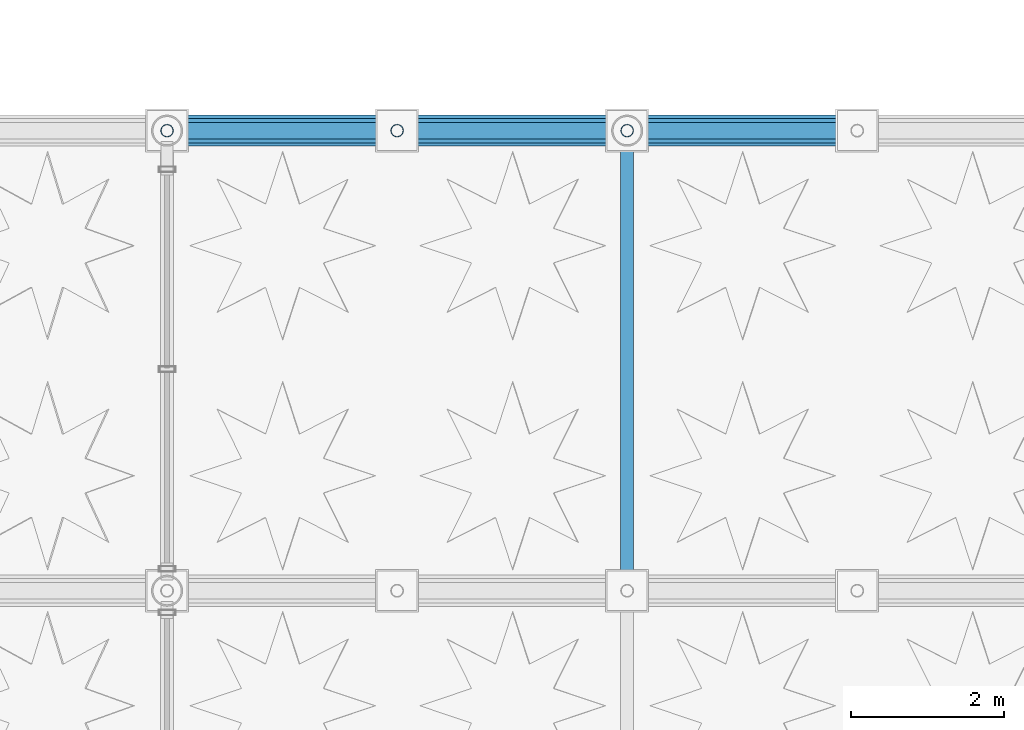
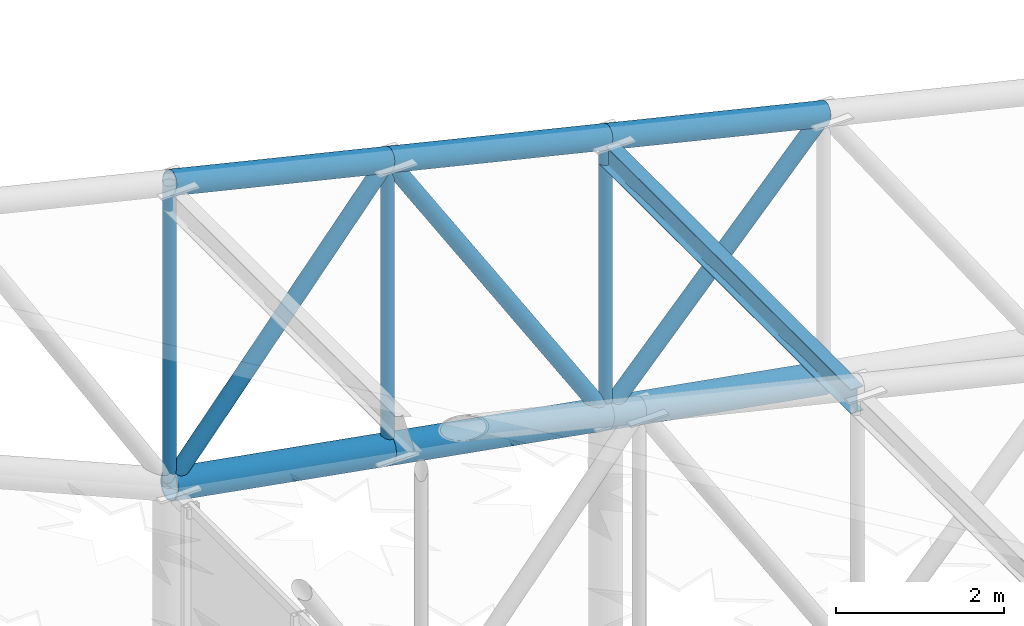
# One storey, part 44 of 112: 12 members, 1 beam.
"""IFC4 building model written with IfcOpenShell, lengths in metres."""

from ifc_helpers import new_model, si_unit, direction, frame, origin, origin_2d, place, context, subcontext, project, spatial, hollow_circle, i_section, extrude, material, material_profile, profile_set, type_object, element, save


model = new_model("IFC4")

# Units and contexts
model_context = context("Model", 3, precision=1e-05, world=origin(), true_north=direction((0.0, 1.0)))
body_context = subcontext(model_context, "Body", "Model", "MODEL_VIEW")
ifc_project = project(units=[si_unit("LENGTHUNIT", "METRE"), si_unit("AREAUNIT", "SQUARE_METRE"), si_unit("VOLUMEUNIT", "CUBIC_METRE"), si_unit("PLANEANGLEUNIT", "RADIAN"), si_unit("MASSUNIT", "GRAM", prefix="KILO"), si_unit("THERMODYNAMICTEMPERATUREUNIT", "KELVIN"), si_unit("POWERUNIT", "WATT")], contexts=[model_context])

# Site, building, storey
site_placement = place(None, origin())
site = spatial("IfcSite", under=ifc_project, at=site_placement, CompositionType="ELEMENT")
building_placement = place(site_placement, origin())
building = spatial("IfcBuilding", under=site, at=building_placement, Name="Phaisarnlok Congress Hotel", CompositionType="ELEMENT")
storey_placement = place(building_placement, frame((0.0, 0.0, 19.800048828125)))
storey = spatial("IfcBuildingStorey", under=building, at=storey_placement, Name="L04", CompositionType="ELEMENT", Elevation=19.800048828125)

# Beam
ifc_material = material(Name="Steel S355", Category="steel")
ifc_material_profile_1 = material_profile(ifc_material, i_section(OverallWidth=0.169921875, OverallDepth=0.360107421875, WebThickness=0.008056640625, FlangeThickness=0.0126953125, FilletRadius=0.01806640625, at=origin_2d()), Name="IPE 360")
ifc_profile_set_1 = profile_set([ifc_material_profile_1], Name="Steel S355")
beam_type = type_object("IfcBeamType", Name="JS-STL-IPE360", PredefinedType="JOIST", material=ifc_profile_set_1)
beam_placement = place(storey_placement, frame((126.0, 78.0, 9.16845703125), z_axis=(0.0, 1.0, 0.0), x_axis=(-1.0, 0.0, 0.0)))
element("IfcBeam", 1, at=beam_placement, inside=storey, type_object=beam_type, Name="Cloister wing roof purlin", PredefinedType="JOIST", context=body_context, shape_type="SweptSolid", body=[
    extrude(i_section(OverallWidth=0.169921875, OverallDepth=0.360107421875, WebThickness=0.008056640625, FlangeThickness=0.0126953125, FilletRadius=0.01806640625, at=origin_2d()), origin(), (0.0, 0.0, 1.0), 6.0),
])

# Members
ifc_material_profile_2 = material_profile(ifc_material, hollow_circle(Radius=0.084228515625, WallThickness=0.010009765625, at=origin_2d()), Name="CHS 168.3x10")
ifc_profile_set_2 = profile_set([ifc_material_profile_2], Name="Steel S355")
member_type_1 = type_object("IfcMemberType", Name="MEM-BRC-CHS168", PredefinedType="BRACE", material=ifc_profile_set_2)
member_1_placement = place(storey_placement, frame((126.0, 84.0, 5.333251953125), z_axis=(0.0, 0.0, 1.0), x_axis=(1.0, 0.0, 0.0)))
element("IfcMember", 2, at=member_1_placement, inside=storey, type_object=member_type_1, Name="Cloister wing roof truss vertical web", PredefinedType="BRACE", context=body_context, shape_type="SweptSolid", body=[
    extrude(hollow_circle(Radius=0.084228515625, WallThickness=0.010009765625, at=origin_2d()), origin(), (0.0, 0.0, 1.0), 4.027099609375),
])
member_2_placement = place(storey_placement, frame((123.0, 84.0, 5.86669921875), z_axis=(0.0, 0.0, 1.0), x_axis=(1.0, 0.0, 0.0)))
element("IfcMember", 3, at=member_2_placement, inside=storey, type_object=member_type_1, Name="Cloister wing roof truss vertical web", PredefinedType="BRACE", context=body_context, shape_type="SweptSolid", body=[
    extrude(hollow_circle(Radius=0.084228515625, WallThickness=0.010009765625, at=origin_2d()), origin(), (0.0, 0.0, 1.0), 4.209716796875),
])
member_3_placement = place(storey_placement, frame((120.0, 84.0, 6.39990234375), z_axis=(0.0, 0.0, 1.0), x_axis=(1.0, 0.0, 0.0)))
element("IfcMember", 4, at=member_3_placement, inside=storey, type_object=member_type_1, Name="Cloister wing roof truss vertical web", PredefinedType="BRACE", context=body_context, shape_type="SweptSolid", body=[
    extrude(hollow_circle(Radius=0.084228515625, WallThickness=0.010009765625, at=origin_2d()), origin(), (0.0, 0.0, 1.0), 4.392578125),
])
ifc_material_profile_3 = material_profile(ifc_material, hollow_circle(Radius=0.109619140625, WallThickness=0.012451171875, at=origin_2d()), Name="CHS 219.1x12.5")
ifc_profile_set_3 = profile_set([ifc_material_profile_3], Name="Steel S355")
member_type_2 = type_object("IfcMemberType", Name="MEM-BRC-CHS219", PredefinedType="BRACE", material=ifc_profile_set_3)
member_4_placement = place(storey_placement, frame((126.0, 84.0, 5.333251953125), z_axis=(0.671442541254, 0.0, 0.741056619831), x_axis=(0.0, 1.0, 0.0)))
element("IfcMember", 5, at=member_4_placement, inside=storey, type_object=member_type_2, Name="Cloister wing roof truss diagonal brace", PredefinedType="BRACE", context=body_context, shape_type="SweptSolid", body=[
    extrude(hollow_circle(Radius=0.109619140625, WallThickness=0.012451171875, at=origin_2d()), origin(), (0.0, 0.0, 1.0), 4.468017578125),
])
member_5_placement = place(storey_placement, frame((126.0, 84.0, 5.333251953125), z_axis=(-0.534542802575, 0.0, 0.845141403681), x_axis=(0.0, -1.0, 0.0)))
element("IfcMember", 6, at=member_5_placement, inside=storey, type_object=member_type_2, Name="Cloister wing roof truss diagonal brace", PredefinedType="BRACE", context=body_context, shape_type="SweptSolid", body=[
    extrude(hollow_circle(Radius=0.109619140625, WallThickness=0.012451171875, at=origin_2d()), origin(), (0.0, 0.0, 1.0), 5.6123046875),
])
member_6_placement = place(storey_placement, frame((120.0, 84.0, 6.39990234375), z_axis=(0.632220210367, 0.0, 0.774788749017), x_axis=(0.0, 1.0, 0.0)))
element("IfcMember", 7, at=member_6_placement, inside=storey, type_object=member_type_2, Name="Cloister wing roof truss diagonal brace", PredefinedType="BRACE", context=body_context, shape_type="SweptSolid", body=[
    extrude(hollow_circle(Radius=0.109619140625, WallThickness=0.012451171875, at=origin_2d()), origin(), (0.0, 0.0, 1.0), 4.7451171875),
])
ifc_material_profile_4 = material_profile(ifc_material, hollow_circle(Radius=0.161865234375, WallThickness=0.01611328125, at=origin_2d()), Name="CHS 323.9x16")
ifc_profile_set_4 = profile_set([ifc_material_profile_4], Name="Steel S355")
member_type_3 = type_object("IfcMemberType", Name="MEM-CHD-CHS324", PredefinedType="CHORD", material=ifc_profile_set_4)
for number, where, z_axis, x_axis, name in (
    (8, (129.0, 84.0, 8.644287109375), (-0.972676115692, 0.0, 0.232166263617), (0.0, -1.0, 0.0), "Cloister wing roof truss top chord"),
    (9, (126.0, 84.0, 9.3603515625), (-0.972676115692, 0.0, 0.232166263617), (0.0, -1.0, 0.0), "Cloister wing roof truss top chord"),
    (10, (123.0, 84.0, 10.076416015625), (-0.972676115692, 0.0, 0.232166263617), (0.0, -1.0, 0.0), "Cloister wing roof truss top chord"),
):
    element("IfcMember", number, at=place(storey_placement, frame(where, z_axis=z_axis, x_axis=x_axis)), inside=storey, type_object=member_type_3, Name=name, PredefinedType="CHORD", context=body_context, shape_type="SweptSolid", body=[
        extrude(hollow_circle(Radius=0.161865234375, WallThickness=0.01611328125, at=origin_2d()), origin(), (0.0, 0.0, 1.0), 3.084228515625),
    ])
ifc_material_profile_5 = material_profile(ifc_material, hollow_circle(Radius=0.203125, WallThickness=0.02001953125, at=origin_2d()), Name="CHS 406.4x20")
ifc_profile_set_5 = profile_set([ifc_material_profile_5], Name="Steel S355")
member_type_4 = type_object("IfcMemberType", Name="MEM-CHD-CHS406", PredefinedType="CHORD", material=ifc_profile_set_5)
for number, where, z_axis, x_axis, name in (
    (11, (129.0, 84.0, 4.800048828125), (-0.984569871158, 0.0, 0.174991910694), (0.0, -1.0, 0.0), "Cloister wing roof truss bottom chord"),
    (12, (126.0, 84.0, 5.333251953125), (-0.984556063496, 0.0, 0.175069579976), (0.0, -1.0, 0.0), "Cloister wing roof truss bottom chord"),
    (13, (123.0, 84.0, 5.86669921875), (-0.984569871158, 0.0, 0.174991910694), (0.0, -1.0, 0.0), "Cloister wing roof truss bottom chord"),
):
    element("IfcMember", number, at=place(storey_placement, frame(where, z_axis=z_axis, x_axis=x_axis)), inside=storey, type_object=member_type_4, Name=name, PredefinedType="CHORD", context=body_context, shape_type="SweptSolid", body=[
        extrude(hollow_circle(Radius=0.203125, WallThickness=0.02001953125, at=origin_2d()), origin(), (0.0, 0.0, 1.0), 3.047119140625),
    ])

save(model, "model.ifc")
